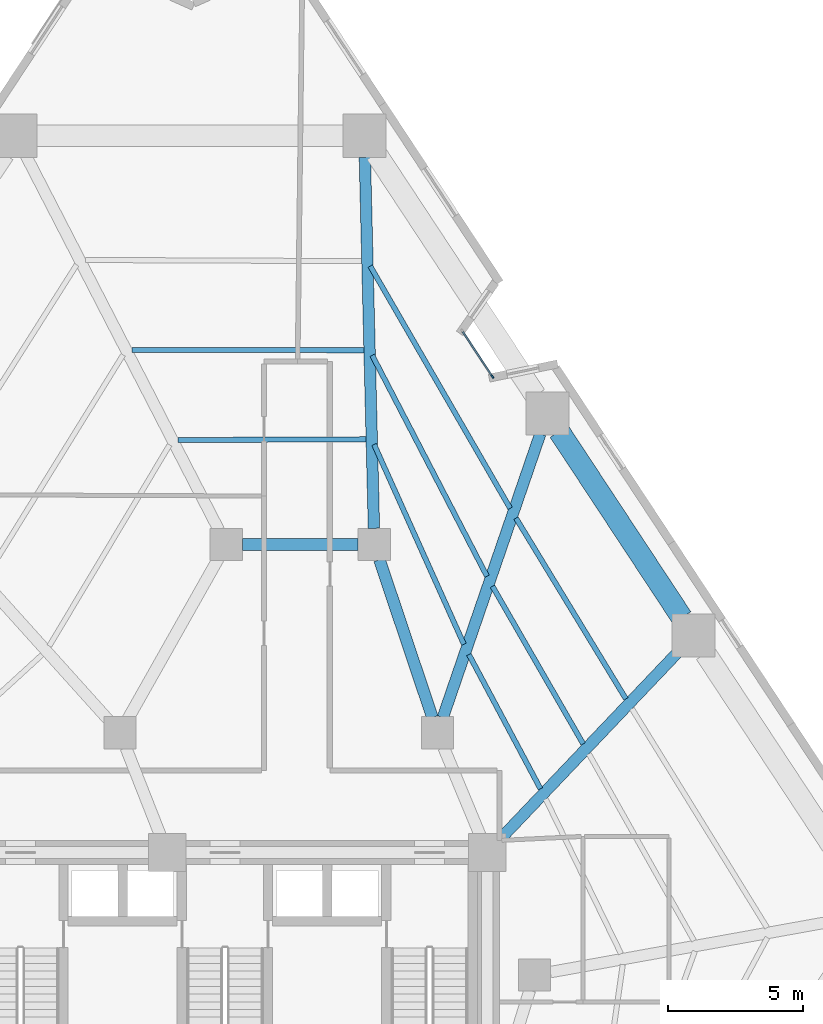
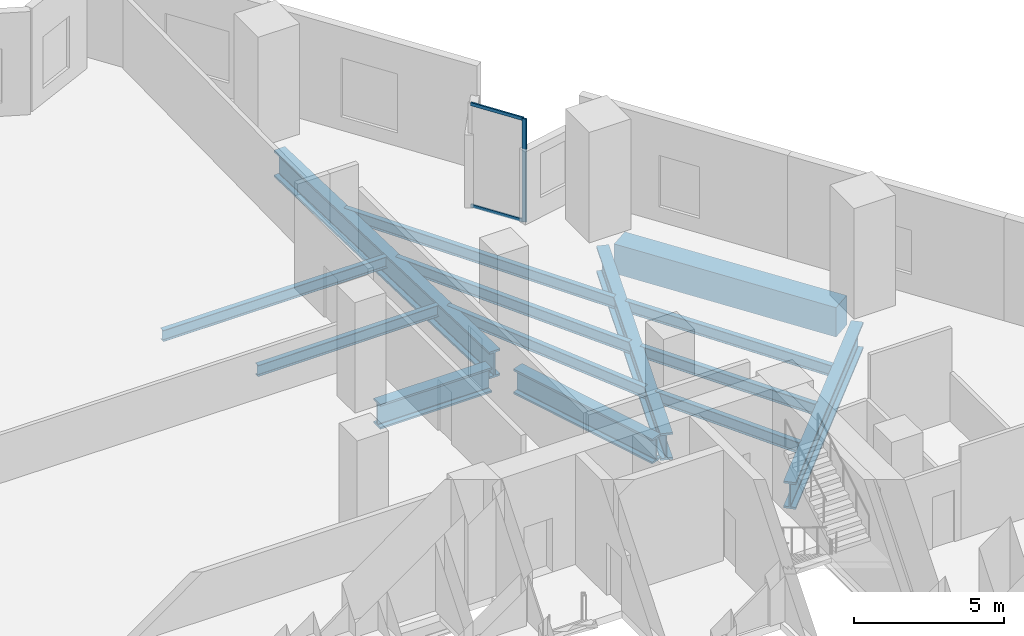
# One storey, part 4 of 11: 14 beams, 3 members, 1 element without a shape of its own.
"""IFC4 building model written with IfcOpenShell, lengths in metres."""

import ifcopenshell
import ifcopenshell.guid

model = None  # the IFC model being written
_history = None  # IfcOwnerHistory: only IFC2X3 demands one
_inside = {}  # id of a spatial element -> (the spatial element, [elements in it])
_under = {}  # id of a project, library or spatial element -> (it, [spatial elements below it])
_declared = {}  # id of a project -> (the project, [libraries it declares])
_typed = {}  # id of a type object -> (the type object, [elements of that type])
_made_of = {}  # id of a material, layer set ... -> (it, [elements and type objects made of it])


def new_model(schema):
    """Start an empty IFC model of exactly this schema.

    Asked for "IFC4X3", IfcOpenShell would pick the latest addendum, in which some entities
    have other attributes; the version numbers below select the first issue.
    IFC2X3 requires an IfcOwnerHistory on every rooted entity: one is made here for all.
    """
    global model, _history
    if schema == "IFC4X3":
        model = ifcopenshell.file(schema_version=(4, 3, 0, 0))
    else:
        model = ifcopenshell.file(schema=schema)
    _inside.clear()
    _under.clear()
    _declared.clear()
    _typed.clear()
    _made_of.clear()
    _history = None
    if model.schema == "IFC2X3":
        org = make("IfcOrganization", Name="unknown")
        user = make(
            "IfcPersonAndOrganization",
            ThePerson=make("IfcPerson", FamilyName="unknown"),
            TheOrganization=org,
        )
        app = make(
            "IfcApplication",
            ApplicationDeveloper=org,
            Version="unknown",
            ApplicationFullName="unknown",
            ApplicationIdentifier="unknown",
        )
        _history = make(
            "IfcOwnerHistory",
            OwningUser=user,
            OwningApplication=app,
            ChangeAction="ADDED",
            CreationDate=0,
        )
    return model


def make(cls, **values):
    """One entity of the class cls with the attributes given. An attribute that is None is left unset."""
    return model.create_entity(
        cls, **{name: value for name, value in values.items() if value is not None}
    )


def rooted(cls, **values):
    """An entity with a GlobalId (a new one), such as an element, a storey or a relation."""
    return make(cls, GlobalId=ifcopenshell.guid.new(), OwnerHistory=_history, **values)


def si_unit(unit_type, name, prefix=None):
    """IfcSIUnit, for example si_unit("LENGTHUNIT", "METRE", prefix="MILLI")."""
    return make("IfcSIUnit", UnitType=unit_type, Prefix=prefix, Name=name)


def assignment(units):
    """IfcUnitAssignment: the units of a project."""
    return None if units is None else make("IfcUnitAssignment", Units=units)


def point(xyz):
    """IfcCartesianPoint."""
    return None if xyz is None else make("IfcCartesianPoint", Coordinates=xyz)


def direction(xyz):
    """IfcDirection."""
    return None if xyz is None else make("IfcDirection", DirectionRatios=xyz)


def frame(location, z_axis=None, x_axis=None):
    """IfcAxis2Placement3D, a coordinate frame: its origin and axes. An axis left out is left unset."""
    return make(
        "IfcAxis2Placement3D",
        Location=point(location),
        Axis=direction(z_axis),
        RefDirection=direction(x_axis),
    )


def frame_2d(location, x_axis=None):
    """IfcAxis2Placement2D, a coordinate frame in the plane: its origin and x axis."""
    return make(
        "IfcAxis2Placement2D", Location=point(location), RefDirection=direction(x_axis)
    )


def origin():
    """The frame at (0, 0, 0) with its axes left unset."""
    return frame((0.0, 0.0, 0.0))


def origin_2d():
    """The frame at (0, 0) in the plane with its x axis left unset."""
    return frame_2d((0.0, 0.0))


def place(relative_to, where):
    """IfcLocalPlacement: puts the frame where relative to a parent placement (None: the world)."""
    return make(
        "IfcLocalPlacement", PlacementRelTo=relative_to, RelativePlacement=where
    )


def context(
    kind, dimensions, precision=None, world=None, true_north=None, identifier=None
):
    """IfcGeometricRepresentationContext, for example the 3D "Model" context."""
    return make(
        "IfcGeometricRepresentationContext",
        ContextIdentifier=identifier,
        ContextType=kind,
        CoordinateSpaceDimension=dimensions,
        Precision=precision,
        WorldCoordinateSystem=world,
        TrueNorth=true_north,
    )


def subcontext(parent, identifier, kind, view, scale=None):
    """IfcGeometricRepresentationSubContext, for example "Body" below "Model"."""
    return make(
        "IfcGeometricRepresentationSubContext",
        ContextIdentifier=identifier,
        ContextType=kind,
        ParentContext=parent,
        TargetScale=scale,
        TargetView=view,
    )


def project(units=None, contexts=None):
    """IfcProject with its units and contexts."""
    return rooted(
        "IfcProject",
        Name="project",
        RepresentationContexts=contexts,
        UnitsInContext=assignment(units),
    )


def spatial(cls, under=None, at=None, **own):
    """A site, building, storey or space (cls), placed at a placement, below another one or the project."""
    s = rooted(cls, ObjectPlacement=at, **own)
    if under is not None:
        _under.setdefault(under.id(), (under, []))[1].append(s)
    return s


def profile(cls, at=None, kind="AREA", **sizes):
    """A parametric profile (cls). Its sizes go by their IFC names, for example OverallWidth=200.0."""
    return make(cls, ProfileType=kind, Position=at, **sizes)


def rectangle(**sizes):
    """IfcRectangleProfileDef."""
    return profile("IfcRectangleProfileDef", **sizes)


def i_section(**sizes):
    """IfcIShapeProfileDef."""
    return profile("IfcIShapeProfileDef", **sizes)


def extrude(swept, where, along, depth):
    """IfcExtrudedAreaSolid: the profile swept, set in the frame where, extruded along a direction by depth."""
    return make(
        "IfcExtrudedAreaSolid",
        SweptArea=swept,
        Position=where,
        ExtrudedDirection=direction(along),
        Depth=depth,
    )


def shape(context_of_items, identifier, shape_type, items):
    """IfcShapeRepresentation: the items that make up one representation, for example the "Body"."""
    return make(
        "IfcShapeRepresentation",
        ContextOfItems=context_of_items,
        RepresentationIdentifier=identifier,
        RepresentationType=shape_type,
        Items=items,
    )


def material(Name=None, Category=None):
    """IfcMaterial."""
    return make("IfcMaterial", Name=Name, Category=Category)


def layer(
    of_material, thickness, ventilated=None, Name=None, Category=None, Priority=None
):
    """IfcMaterialLayer: one layer of a wall or slab, of a material (None: an air gap)."""
    return make(
        "IfcMaterialLayer",
        Material=of_material,
        LayerThickness=thickness,
        IsVentilated=ventilated,
        Name=Name,
        Category=Category,
        Priority=Priority,
    )


def layer_set(layers, Name=None):
    """IfcMaterialLayerSet."""
    return make("IfcMaterialLayerSet", MaterialLayers=layers, LayerSetName=Name)


def material_profile(
    of_material, cross_section, Name=None, Category=None, Priority=None
):
    """IfcMaterialProfile: a cross section and its material."""
    return make(
        "IfcMaterialProfile",
        Name=Name,
        Material=of_material,
        Profile=cross_section,
        Priority=Priority,
        Category=Category,
    )


def profile_set(profiles, Name=None, composite=None):
    """IfcMaterialProfileSet."""
    return make(
        "IfcMaterialProfileSet",
        Name=Name,
        MaterialProfiles=profiles,
        CompositeProfile=composite,
    )


def made_of(thing, what):
    """Note that an element or type object is made of a material, layer set ...; save() writes the relation."""
    if what is not None:
        _made_of.setdefault(what.id(), (what, []))[1].append(thing)
    return thing


def type_object(cls, material=None, **own):
    """A type object (cls), such as IfcWallType, which elements share."""
    return made_of(rooted(cls, **own), material)


def element(
    cls,
    number,
    at=None,
    inside=None,
    cuts=None,
    type_object=None,
    material=None,
    context=None,
    identifier="Body",
    shape_type=None,
    held_by="IfcProductDefinitionShape",
    body=None,
    shapes=None,
    **own,
):
    """One element of the class cls, such as IfcWall. Its Tag is "e" and its number.

    at: its placement. inside: the storey or other place that contains it. cuts: it is an
    opening in that element (IfcRelVoidsElement). A single representation is given by context,
    identifier, shape_type and body (its items); several are given by shapes. held_by: the class
    of the entity that holds the representations. save() writes the other relations.
    """
    e = rooted(cls, Tag="e%d" % number, ObjectPlacement=at, **own)
    if body is not None:
        shapes = [shape(context, identifier, shape_type, body)]
    if shapes is not None:
        e.Representation = make(held_by, Representations=shapes)
    if inside is not None:
        _inside.setdefault(inside.id(), (inside, []))[1].append(e)
    if cuts is not None:
        rooted(
            "IfcRelVoidsElement", RelatingBuildingElement=cuts, RelatedOpeningElement=e
        )
    if type_object is not None:
        _typed.setdefault(type_object.id(), (type_object, []))[1].append(e)
    return made_of(e, material)


def aggregate(whole, parts):
    """IfcRelAggregates: a whole, such as a stair, and the parts it consists of."""
    return rooted("IfcRelAggregates", RelatingObject=whole, RelatedObjects=parts)


def save(model, path):
    """Write the relations noted so far, then the file.

    IfcRelAggregates (storeys below a building ...), IfcRelContainedInSpatialStructure (elements
    in a storey), IfcRelDefinesByType, IfcRelAssociatesMaterial and IfcRelDeclares: one each for
    every whole, place, type object, material and project.
    """
    for whole, parts in _under.values():
        aggregate(whole, parts)
    for where, things in _inside.values():
        rooted(
            "IfcRelContainedInSpatialStructure",
            RelatedElements=things,
            RelatingStructure=where,
        )
    for kind, things in _typed.values():
        rooted("IfcRelDefinesByType", RelatedObjects=things, RelatingType=kind)
    for what, things in _made_of.values():
        rooted("IfcRelAssociatesMaterial", RelatedObjects=things, RelatingMaterial=what)
    for by, libraries in _declared.values():
        rooted("IfcRelDeclares", RelatingContext=by, RelatedDefinitions=libraries)
    model.write(path)


model = new_model("IFC4")

# Units and contexts
model_context = context("Model", 3, precision=1e-05, world=origin(), true_north=direction((0.0, 1.0)))
body_context = subcontext(model_context, "Body", "Model", "MODEL_VIEW")
ifc_project = project(units=[si_unit("LENGTHUNIT", "METRE"), si_unit("AREAUNIT", "SQUARE_METRE"), si_unit("VOLUMEUNIT", "CUBIC_METRE"), si_unit("PLANEANGLEUNIT", "RADIAN"), si_unit("MASSUNIT", "GRAM", prefix="KILO")], contexts=[model_context])

# Site, building, storey
site_placement = place(None, origin())
site = spatial("IfcSite", under=ifc_project, at=site_placement, CompositionType="ELEMENT")
building_placement = place(site_placement, origin())
building = spatial("IfcBuilding", under=site, at=building_placement, Name="Almagre Mirador Tower", CompositionType="ELEMENT")
storey_placement = place(building_placement, frame((0.0, 0.0, 21.89990234375)))
storey = spatial("IfcBuildingStorey", under=building, at=storey_placement, Name="L04", CompositionType="ELEMENT", Elevation=21.89990234375)

# Beams
ifc_material_1 = material(Name="Steel ASTM A992 Grade 50", Category="steel")
ifc_material_profile_1 = material_profile(ifc_material_1, i_section(OverallWidth=0.19091796875, OverallDepth=0.4599609375, WebThickness=0.010009765625, FlangeThickness=0.01611328125, FilletRadius=0.01611328125, at=origin_2d()), Name="W18X55")
ifc_profile_set_1 = profile_set([ifc_material_profile_1], Name="Steel ASTM A992 Grade 50")
beam_type_1 = type_object("IfcBeamType", Name="BM-JST-W18X55", PredefinedType="JOIST", material=ifc_profile_set_1)
beam_1_placement = place(storey_placement, frame((52.198974609375, 20.46044921875, -0.52978515625), z_axis=(-0.51960112959, 0.854408957191, 0.0), x_axis=(-0.854408957191, -0.51960112959, 0.0)))
element("IfcBeam", 1, at=beam_1_placement, inside=storey, type_object=beam_type_1, Name="L04 secondary floor joist PC06-PC07.1", PredefinedType="JOIST", context=body_context, shape_type="SweptSolid", body=[
    extrude(i_section(OverallWidth=0.19091796875, OverallDepth=0.4599609375, WebThickness=0.010009765625, FlangeThickness=0.01611328125, FilletRadius=0.01611328125, at=origin_2d()), origin(), (0.0, 0.0, 1.0), 7.8623046875),
])
beam_2_placement = place(storey_placement, frame((50.611083984375, 18.7890625, -0.52978515625), z_axis=(-0.498949643049, 0.866630978965, 0.0), x_axis=(-0.866630978965, -0.498949643049, 0.0)))
element("IfcBeam", 2, at=beam_2_placement, inside=storey, type_object=beam_type_1, Name="L04 secondary floor joist PC06-PC07.2", PredefinedType="JOIST", context=body_context, shape_type="SweptSolid", body=[
    extrude(i_section(OverallWidth=0.19091796875, OverallDepth=0.4599609375, WebThickness=0.010009765625, FlangeThickness=0.01611328125, FilletRadius=0.01611328125, at=origin_2d()), origin(), (0.0, 0.0, 1.0), 6.7568359375),
])
beam_3_placement = place(storey_placement, frame((49.02490234375, 17.118408203125, -0.52978515625), z_axis=(-0.470314940672, 0.882498643954, 0.0), x_axis=(-0.882498643954, -0.470314940672, 0.0)))
element("IfcBeam", 3, at=beam_3_placement, inside=storey, type_object=beam_type_1, Name="L04 secondary floor joist PC06-PC07.3", PredefinedType="JOIST", context=body_context, shape_type="SweptSolid", body=[
    extrude(i_section(OverallWidth=0.19091796875, OverallDepth=0.4599609375, WebThickness=0.010009765625, FlangeThickness=0.01611328125, FilletRadius=0.01611328125, at=origin_2d()), origin(), (0.0, 0.0, 1.0), 5.6572265625),
])
beam_4_placement = place(storey_placement, frame((47.8974609375, 27.542724609375, -0.52978515625), z_axis=(-0.50017037833, 0.865927013461, 0.0), x_axis=(-0.865927013461, -0.50017037833, 0.0)))
element("IfcBeam", 4, at=beam_4_placement, inside=storey, type_object=beam_type_1, Name="L04 secondary floor joist PC07-PC08.1", PredefinedType="JOIST", context=body_context, shape_type="SweptSolid", body=[
    extrude(i_section(OverallWidth=0.19091796875, OverallDepth=0.4599609375, WebThickness=0.010009765625, FlangeThickness=0.01611328125, FilletRadius=0.01611328125, at=origin_2d()), origin(), (0.0, 0.0, 1.0), 10.394775390625),
])
beam_5_placement = place(storey_placement, frame((47.036376953125, 25.0166015625, -0.52978515625), z_axis=(-0.460878402306, 0.887463294051, 0.0), x_axis=(-0.887463294051, -0.460878402306, 0.0)))
element("IfcBeam", 5, at=beam_5_placement, inside=storey, type_object=beam_type_1, Name="L04 secondary floor joist PC07-PC08.2", PredefinedType="JOIST", context=body_context, shape_type="SweptSolid", body=[
    extrude(i_section(OverallWidth=0.19091796875, OverallDepth=0.4599609375, WebThickness=0.010009765625, FlangeThickness=0.01611328125, FilletRadius=0.01611328125, at=origin_2d()), origin(), (0.0, 0.0, 1.0), 9.2548828125),
])
beam_6_placement = place(storey_placement, frame((46.177490234375, 22.4912109375, -0.52978515625), z_axis=(-0.409878217653, 0.912140256043, 0.0), x_axis=(-0.912140256043, -0.409878217653, 0.0)))
element("IfcBeam", 6, at=beam_6_placement, inside=storey, type_object=beam_type_1, Name="L04 secondary floor joist PC07-PC08.3", PredefinedType="JOIST", context=body_context, shape_type="SweptSolid", body=[
    extrude(i_section(OverallWidth=0.19091796875, OverallDepth=0.4599609375, WebThickness=0.010009765625, FlangeThickness=0.01611328125, FilletRadius=0.01611328125, at=origin_2d()), origin(), (0.0, 0.0, 1.0), 8.139404296875),
])
beam_7_placement = place(storey_placement, frame((42.461181640625, 33.41845703125, -0.52978515625), z_axis=(-0.999999614896, 0.000877614814, 0.0), x_axis=(-0.000877614814, -0.999999614896, 0.0)))
element("IfcBeam", 7, at=beam_7_placement, inside=storey, type_object=beam_type_1, Name="L04 secondary floor joist PC08-PC09.2", PredefinedType="JOIST", context=body_context, shape_type="SweptSolid", body=[
    extrude(i_section(OverallWidth=0.19091796875, OverallDepth=0.4599609375, WebThickness=0.010009765625, FlangeThickness=0.01611328125, FilletRadius=0.01611328125, at=origin_2d()), origin(), (0.0, 0.0, 1.0), 8.623779296875),
])
beam_8_placement = place(storey_placement, frame((42.542236328125, 30.108154296875, -0.52978515625), z_axis=(-0.999992189236, -0.003952400048, 0.0), x_axis=(0.003952400048, -0.999992189236, 0.0)))
element("IfcBeam", 8, at=beam_8_placement, inside=storey, type_object=beam_type_1, Name="L04 secondary floor joist PC08-PC09.3", PredefinedType="JOIST", context=body_context, shape_type="SweptSolid", body=[
    extrude(i_section(OverallWidth=0.19091796875, OverallDepth=0.4599609375, WebThickness=0.010009765625, FlangeThickness=0.01611328125, FilletRadius=0.01611328125, at=origin_2d()), origin(), (0.0, 0.0, 1.0), 6.97998046875),
])
ifc_material_2 = material(Name="Precast concrete C50/60", Category="concrete")
ifc_material_profile_2 = material_profile(ifc_material_2, rectangle(XDim=0.800048828125, YDim=1.199951171875, at=origin_2d()), Name="RC800X1200")
ifc_profile_set_2 = profile_set([ifc_material_profile_2], Name="Precast concrete C50/60")
beam_type_2 = type_object("IfcBeamType", Name="BM-SPN-RC800X1200", PredefinedType="SPANDREL", material=ifc_profile_set_2)
beam_9_placement = place(storey_placement, frame((54.27783203125, 23.47998046875, -0.89990234375), z_axis=(-0.55020506323, 0.835029573366, 0.0), x_axis=(-0.835029573366, -0.55020506323, 0.0)))
element("IfcBeam", 9, at=beam_9_placement, inside=storey, type_object=beam_type_2, Name="L04 perimeter spandrel beam PC06-PC07", PredefinedType="SPANDREL", context=body_context, shape_type="SweptSolid", body=[
    extrude(rectangle(XDim=0.800048828125, YDim=1.199951171875, at=origin_2d()), origin(), (0.0, 0.0, 1.0), 8.287109375),
])
ifc_material_3 = material(Name="Steel ASTM A992 Grade 50", Category="steel")
ifc_material_profile_3 = material_profile(ifc_material_3, i_section(OverallWidth=0.43701171875, OverallDepth=1.010986328125, WebThickness=0.041015625, FlangeThickness=0.073974609375, FilletRadius=0.028076171875, at=origin_2d()), Name="W36X529")
ifc_profile_set_3 = profile_set([ifc_material_profile_3], Name="Steel ASTM A992 Grade 50")
beam_type_3 = type_object("IfcBeamType", Name="BM-STL-W36X529", PredefinedType="BEAM", material=ifc_profile_set_3)
beam_10_placement = place(storey_placement, frame((37.949951171875, 26.199951171875, -0.805419921875), z_axis=(1.0, 0.0, 0.0), x_axis=(0.0, 1.0, 0.0)))
element("IfcBeam", 10, at=beam_10_placement, inside=storey, type_object=beam_type_3, Name="L04 core tie girder MC7-MC6", PredefinedType="BEAM", context=body_context, shape_type="SweptSolid", body=[
    extrude(i_section(OverallWidth=0.43701171875, OverallDepth=1.010986328125, WebThickness=0.041015625, FlangeThickness=0.073974609375, FilletRadius=0.028076171875, at=origin_2d()), origin(), (0.0, 0.0, 1.0), 4.300048828125),
])
beam_11_placement = place(storey_placement, frame((43.041015625, 25.631103515625, -0.805419921875), z_axis=(0.318252395552, -0.948006019351, 0.0), x_axis=(0.948006019351, 0.318252395552, 0.0)))
element("IfcBeam", 11, at=beam_11_placement, inside=storey, type_object=beam_type_3, Name="L04 core tie girder MC6-MC5", PredefinedType="BEAM", context=body_context, shape_type="SweptSolid", body=[
    extrude(i_section(OverallWidth=0.43701171875, OverallDepth=1.010986328125, WebThickness=0.041015625, FlangeThickness=0.073974609375, FilletRadius=0.028076171875, at=origin_2d()), origin(), (0.0, 0.0, 1.0), 6.183837890625),
])
ifc_material_4 = material(Name="Steel ASTM A913 Grade 65", Category="steel")
ifc_material_profile_4 = material_profile(ifc_material_4, i_section(OverallWidth=0.424072265625, OverallDepth=1.092041015625, WebThickness=0.04541015625, FlangeThickness=0.08203125, FilletRadius=0.030029296875, at=origin_2d()), Name="W40X593")
ifc_profile_set_4 = profile_set([ifc_material_profile_4], Name="Steel ASTM A913 Grade 65")
beam_type_4 = type_object("IfcBeamType", Name="BM-STL-W40X593", PredefinedType="BEAM", material=ifc_profile_set_4)
beam_12_placement = place(storey_placement, frame((54.166748046875, 22.232421875, -0.845947265625), z_axis=(-0.689169924888, -0.724599761683, 0.0), x_axis=(0.724599761683, -0.689169924888, 0.0)))
element("IfcBeam", 12, at=beam_12_placement, inside=storey, type_object=beam_type_4, Name="L04 radial floor girder PC06-CC6", PredefinedType="BEAM", context=body_context, shape_type="SweptSolid", body=[
    extrude(i_section(OverallWidth=0.424072265625, OverallDepth=1.092041015625, WebThickness=0.04541015625, FlangeThickness=0.08203125, FilletRadius=0.030029296875, at=origin_2d()), origin(), (0.0, 0.0, 1.0), 9.62646484375),
])
beam_13_placement = place(storey_placement, frame((49.01806640625, 30.311279296875, -0.845947265625), z_axis=(-0.324964711331, -0.945726142384, 0.0), x_axis=(0.945726142384, -0.324964711331, 0.0)))
element("IfcBeam", 13, at=beam_13_placement, inside=storey, type_object=beam_type_4, Name="L04 radial floor girder PC07-MC5", PredefinedType="BEAM", context=body_context, shape_type="SweptSolid", body=[
    extrude(i_section(OverallWidth=0.424072265625, OverallDepth=1.092041015625, WebThickness=0.04541015625, FlangeThickness=0.08203125, FilletRadius=0.030029296875, at=origin_2d()), origin(), (0.0, 0.0, 1.0), 11.14892578125),
])
beam_14_placement = place(storey_placement, frame((42.49755859375, 40.588134765625, -0.845947265625), z_axis=(0.024480505786, -0.99970030751, 0.0), x_axis=(0.99970030751, 0.024480505786, 0.0)))
element("IfcBeam", 14, at=beam_14_placement, inside=storey, type_object=beam_type_4, Name="L04 radial floor girder PC08-MC6", PredefinedType="BEAM", context=body_context, shape_type="SweptSolid", body=[
    extrude(i_section(OverallWidth=0.424072265625, OverallDepth=1.092041015625, WebThickness=0.04541015625, FlangeThickness=0.08203125, FilletRadius=0.030029296875, at=origin_2d()), origin(), (0.0, 0.0, 1.0), 13.79248046875),
])

# Curtain wall, members
ifc_material_5 = material(Name="Black anodized aluminium", Category="aluminium")
ifc_layer = layer(ifc_material_5, 0.169921875)
ifc_layer_set = layer_set([ifc_layer], Name="Black anodized aluminium")
curtain_wall_type = type_object("IfcCurtainWallType", Name="CW-CRS-SYS", PredefinedType="NOTDEFINED", material=ifc_layer_set)
curtain_wall_placement = place(storey_placement, origin())
curtain_wall = element("IfcCurtainWall", 15, at=curtain_wall_placement, inside=storey, type_object=curtain_wall_type, Name="L04 vertical crease curtain wall 05", PredefinedType="NOTDEFINED")
ifc_material_6 = material(Name="Black anodized aluminium", Category="aluminium")
ifc_material_profile_5 = material_profile(ifc_material_6, rectangle(XDim=0.06005859375, YDim=0.14990234375, at=origin_2d()), Name="CWM60X150")
ifc_profile_set_5 = profile_set([ifc_material_profile_5], Name="Black anodized aluminium")
member_type_1 = type_object("IfcMemberType", Name="MBR-CWM60X150", PredefinedType="MULLION", material=ifc_profile_set_5)
member_1_placement = place(storey_placement, frame((47.238525390625, 32.43603515625, 0.0), z_axis=(0.0, 0.0, 1.0), x_axis=(0.83498318847, 0.550275453725, 0.0)))
member_1 = element("IfcMember", 16, at=member_1_placement, type_object=member_type_1, Name="CW-4 mullion 2", PredefinedType="MULLION", context=body_context, shape_type="SweptSolid", body=[
    extrude(rectangle(XDim=0.06005859375, YDim=0.14990234375, at=origin_2d()), origin(), (0.0, 0.0, 1.0), 4.2001953125),
])
ifc_material_7 = material(Name="Black anodized aluminium", Category="aluminium")
ifc_material_profile_6 = material_profile(ifc_material_7, rectangle(XDim=0.06005859375, YDim=0.1298828125, at=origin_2d()), Name="CWT60X130")
ifc_profile_set_6 = profile_set([ifc_material_profile_6], Name="Black anodized aluminium")
member_type_2 = type_object("IfcMemberType", Name="MBR-CWT60X130", PredefinedType="USERDEFINED", material=ifc_profile_set_6)
member_2_placement = place(storey_placement, frame((46.137939453125, 34.10595703125, 0.030029296875), z_axis=(0.550287833271, -0.834975029898, 0.0), x_axis=(0.834975029898, 0.550287833271, 0.0)))
member_2 = element("IfcMember", 17, at=member_2_placement, type_object=member_type_2, Name="CW-4 transom 1.1", ObjectType="TRANSOM", PredefinedType="USERDEFINED", context=body_context, shape_type="SweptSolid", body=[
    extrude(rectangle(XDim=0.06005859375, YDim=0.1298828125, at=origin_2d()), origin(), (0.0, 0.0, 1.0), 1.969970703125),
])
member_3_placement = place(storey_placement, frame((46.137939453125, 34.10595703125, 4.170166015625), z_axis=(0.550287833271, -0.834975029898, 0.0), x_axis=(0.834975029898, 0.550287833271, 0.0)))
member_3 = element("IfcMember", 18, at=member_3_placement, type_object=member_type_2, Name="CW-4 transom 1.2", ObjectType="TRANSOM", PredefinedType="USERDEFINED", context=body_context, shape_type="SweptSolid", body=[
    extrude(rectangle(XDim=0.06005859375, YDim=0.1298828125, at=origin_2d()), origin(), (0.0, 0.0, 1.0), 1.969970703125),
])
aggregate(curtain_wall, [member_1, member_2, member_3])

save(model, "model.ifc")
